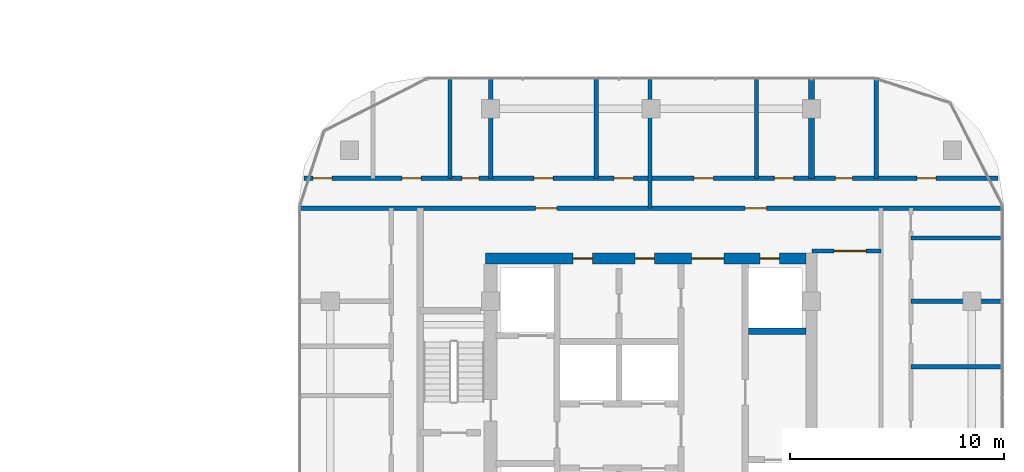
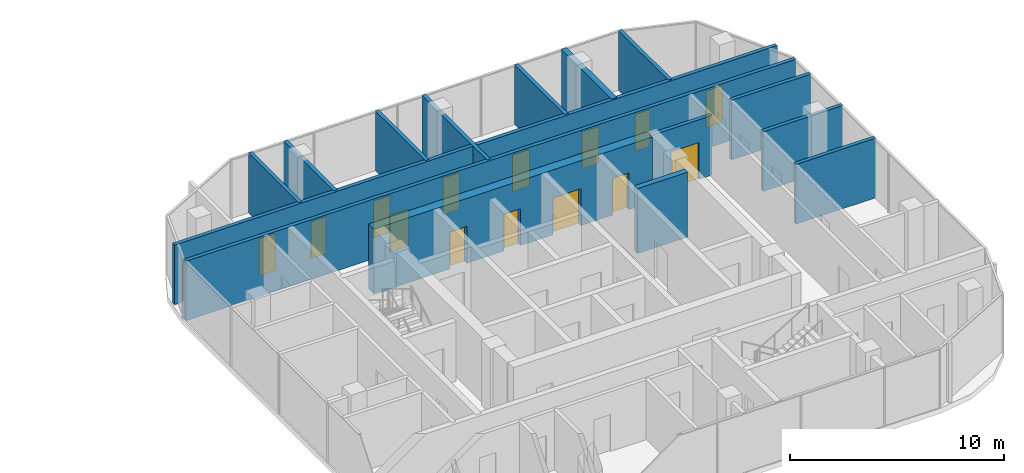
# One storey, part 24 of 33: 16 doors, 15 walls, 16 openings.
"""IFC4 building model written with IfcOpenShell, lengths in metres."""

from ifc_helpers import new_model, si_unit, direction, frame, frame_2d, origin, place, context, subcontext, project, spatial, rectangle, extrude, material, layer, layer_set, type_object, element, fill, save


model = new_model("IFC4")

# Units and contexts
model_context = context("Model", 3, precision=1e-05, world=origin(), true_north=direction((0.0, 1.0)))
body_context = subcontext(model_context, "Body", "Model", "MODEL_VIEW")
ifc_project = project(units=[si_unit("LENGTHUNIT", "METRE"), si_unit("AREAUNIT", "SQUARE_METRE"), si_unit("VOLUMEUNIT", "CUBIC_METRE"), si_unit("PLANEANGLEUNIT", "RADIAN"), si_unit("MASSUNIT", "GRAM", prefix="KILO")], contexts=[model_context])

# Site, building, storey
site_placement = place(None, origin())
site = spatial("IfcSite", under=ifc_project, at=site_placement, CompositionType="ELEMENT")
building_placement = place(site_placement, origin())
building = spatial("IfcBuilding", under=site, at=building_placement, Name="Ogive Portal Towers", CompositionType="ELEMENT")
storey_placement = place(building_placement, frame((0.0, 0.0, 77.89990234375)))
storey = spatial("IfcBuildingStorey", under=building, at=storey_placement, Name="L18", CompositionType="ELEMENT", Elevation=77.89990234375)

# Wall
ifc_material_1 = material(Name="Concrete C60/75", Category="concrete")
ifc_layer_1 = layer(ifc_material_1, 0.300048828125)
ifc_layer_set_1 = layer_set([ifc_layer_1], Name="CORE WALL 300 C60")
wall_type_1 = type_object("IfcWallType", Name="CORE WALL 300 C60", PredefinedType="SHEAR", material=ifc_layer_set_1)
wall_1_placement = place(storey_placement, frame((141.050048828125, 34.10009765625, 0.0), z_axis=(0.0, 0.0, 1.0), x_axis=(1.0, 0.0, 0.0)))
element("IfcWall", 1, at=wall_1_placement, inside=storey, type_object=wall_type_1, Name="Tower B core wall BY7 L18", PredefinedType="SHEAR", context=body_context, shape_type="SweptSolid", body=[
    extrude(rectangle(XDim=2.699951171875, YDim=0.300048828125, at=frame_2d((1.35009765625, 0.0))), origin(), (0.0, 0.0, 1.0), 3.7001953125),
])

# Wall, openings, doors
ifc_layer_2 = layer(ifc_material_1, 0.5)
ifc_layer_set_2 = layer_set([ifc_layer_2], Name="CORE WALL 500 C60")
wall_type_2 = type_object("IfcWallType", Name="CORE WALL 500 C60", PredefinedType="SHEAR", material=ifc_layer_set_2)
wall_2_placement = place(storey_placement, frame((128.75, 37.5, 0.0), z_axis=(0.0, 0.0, 1.0), x_axis=(1.0, 0.0, 0.0)))
wall_2 = element("IfcWall", 2, at=wall_2_placement, inside=storey, type_object=wall_type_2, Name="Tower B core wall BN L18", PredefinedType="SHEAR", context=body_context, shape_type="SweptSolid", body=[
    extrude(rectangle(XDim=15.0, YDim=0.5, at=frame_2d((7.5, 0.0))), origin(), (0.0, 0.0, 1.0), 3.7001953125),
])
opening_1_placement = place(wall_2_placement, frame((9.64990234375, 0.0, 0.0)))
opening_1 = element("IfcOpeningElement", 3, at=opening_1_placement, cuts=wall_2, Name="Opening B05-046", PredefinedType="OPENING", context=body_context, shape_type="SweptSolid", body=[
    extrude(rectangle(XDim=1.5, YDim=2.10009765625, at=frame_2d((0.75, 1.050048828125))), frame((0.0, 0.260009765625, 0.0), z_axis=(0.0, -1.0, 0.0), x_axis=(1.0, 0.0, 0.0)), (0.0, 0.0, 1.0), 0.52001953125),
])
opening_2_placement = place(wall_2_placement, frame((12.85009765625, 0.0, 0.0)))
opening_2 = element("IfcOpeningElement", 4, at=opening_2_placement, cuts=wall_2, Name="Opening B05-048", PredefinedType="OPENING", context=body_context, shape_type="SweptSolid", body=[
    extrude(rectangle(XDim=0.89990234375, YDim=2.10009765625, at=frame_2d((0.449951171875, 1.050048828125))), frame((0.0, 0.260009765625, 0.0), z_axis=(0.0, -1.0, 0.0), x_axis=(1.0, 0.0, 0.0)), (0.0, 0.0, 1.0), 0.52001953125),
])
opening_3_placement = place(wall_2_placement, frame((4.10009765625, 0.0, 0.0)))
opening_3 = element("IfcOpeningElement", 5, at=opening_3_placement, cuts=wall_2, Name="Opening B05-055", PredefinedType="OPENING", context=body_context, shape_type="SweptSolid", body=[
    extrude(rectangle(XDim=0.89990234375, YDim=2.10009765625, at=frame_2d((0.449951171875, 1.050048828125))), frame((0.0, 0.260009765625, 0.0), z_axis=(0.0, -1.0, 0.0), x_axis=(1.0, 0.0, 0.0)), (0.0, 0.0, 1.0), 0.52001953125),
])
opening_4_placement = place(wall_2_placement, frame((7.0, 0.0, 0.0)))
opening_4 = element("IfcOpeningElement", 6, at=opening_4_placement, cuts=wall_2, Name="Opening B05-056", PredefinedType="OPENING", context=body_context, shape_type="SweptSolid", body=[
    extrude(rectangle(XDim=0.89990234375, YDim=2.10009765625, at=frame_2d((0.449951171875, 1.050048828125))), frame((0.0, 0.260009765625, 0.0), z_axis=(0.0, -1.0, 0.0), x_axis=(1.0, 0.0, 0.0)), (0.0, 0.0, 1.0), 0.52001953125),
])
ifc_material_2 = material(Name="Steel fire door", Category="steel")
door_type_1 = type_object("IfcDoorType", Name="DT-SWING-1500x2100-FD90S", OperationType="SINGLE_SWING_LEFT", PredefinedType="DOOR", material=ifc_material_2)
door_1_placement = place(opening_1_placement, origin())
door_1 = element("IfcDoor", 7, at=door_1_placement, inside=storey, type_object=door_type_1, Name="Door B05-046", OperationType="SINGLE_SWING_RIGHT", OverallHeight=2.10009765625, OverallWidth=1.5, PredefinedType="DOOR", context=body_context, shape_type="SweptSolid", body=[
    extrude(rectangle(XDim=1.5, YDim=2.10009765625, at=frame_2d((0.75, 1.050048828125))), frame((0.0, 0.02490234375, 0.0), z_axis=(0.0, -1.0, 0.0), x_axis=(1.0, 0.0, 0.0)), (0.0, 0.0, 1.0), 0.050048828125),
])
fill(opening_1, door_1)
door_type_2 = type_object("IfcDoorType", Name="DT-SWING-900x2100-FD90S", OperationType="SINGLE_SWING_LEFT", PredefinedType="DOOR", material=ifc_material_2)
door_2_placement = place(opening_2_placement, origin())
door_2 = element("IfcDoor", 8, at=door_2_placement, inside=storey, type_object=door_type_2, Name="Riser access door B05-048", OperationType="SINGLE_SWING_RIGHT", OverallHeight=2.10009765625, OverallWidth=0.89990234375, PredefinedType="DOOR", context=body_context, shape_type="SweptSolid", body=[
    extrude(rectangle(XDim=0.89990234375, YDim=2.10009765625, at=frame_2d((0.449951171875, 1.050048828125))), frame((0.0, 0.02490234375, 0.0), z_axis=(0.0, -1.0, 0.0), x_axis=(1.0, 0.0, 0.0)), (0.0, 0.0, 1.0), 0.050048828125),
])
fill(opening_2, door_2)
door_3_placement = place(opening_3_placement, origin())
door_3 = element("IfcDoor", 9, at=door_3_placement, inside=storey, type_object=door_type_2, Name="Door B05-055", OperationType="SINGLE_SWING_LEFT", OverallHeight=2.10009765625, OverallWidth=0.89990234375, PredefinedType="DOOR", context=body_context, shape_type="SweptSolid", body=[
    extrude(rectangle(XDim=0.89990234375, YDim=2.10009765625, at=frame_2d((0.449951171875, 1.050048828125))), frame((0.0, 0.02490234375, 0.0), z_axis=(0.0, -1.0, 0.0), x_axis=(1.0, 0.0, 0.0)), (0.0, 0.0, 1.0), 0.050048828125),
])
fill(opening_3, door_3)
door_4_placement = place(opening_4_placement, origin())
door_4 = element("IfcDoor", 10, at=door_4_placement, inside=storey, type_object=door_type_2, Name="Door B05-056", OperationType="SINGLE_SWING_RIGHT", OverallHeight=2.10009765625, OverallWidth=0.89990234375, PredefinedType="DOOR", context=body_context, shape_type="SweptSolid", body=[
    extrude(rectangle(XDim=0.89990234375, YDim=2.10009765625, at=frame_2d((0.449951171875, 1.050048828125))), frame((0.0, 0.02490234375, 0.0), z_axis=(0.0, -1.0, 0.0), x_axis=(1.0, 0.0, 0.0)), (0.0, 0.0, 1.0), 0.050048828125),
])
fill(opening_4, door_4)

# Walls
ifc_material_3 = material(Name="Gypsum board partition on steel studs", Category="steel")
ifc_layer_3 = layer(ifc_material_3, 0.199951171875)
ifc_layer_set_3 = layer_set([ifc_layer_3], Name="WT-PART-200-EI 60")
wall_type_3 = type_object("IfcWallType", Name="WT-PART-200-EI 60", PredefinedType="PARTITIONING", material=ifc_layer_set_3)
for number, where, z_axis, x_axis, name in (
    (11, (148.64990234375, 32.43310546875, 0.0), (0.0, 0.0, 1.0), (1.0, 0.0, 0.0), "Wall L18:w012"),
    (12, (148.64990234375, 35.5, 0.0), (0.0, 0.0, 1.0), (1.0, 0.0, 0.0), "Wall L18:w016"),
):
    element("IfcWall", number, at=place(storey_placement, frame(where, z_axis=z_axis, x_axis=x_axis)), inside=storey, type_object=wall_type_3, Name=name, PredefinedType="PARTITIONING", context=body_context, shape_type="SweptSolid", body=[
        extrude(rectangle(XDim=4.280029296875, YDim=0.199951171875, at=frame_2d((2.14013671875, 0.0))), origin(), (0.0, 0.0, 1.0), 3.400146484375),
    ])

# Wall, opening, door
wall_3_placement = place(storey_placement, frame((144.02001953125, 37.85009765625, 0.0), z_axis=(0.0, 0.0, 1.0), x_axis=(1.0, 0.0, 0.0)))
wall_3 = element("IfcWall", 13, at=wall_3_placement, inside=storey, type_object=wall_type_3, Name="Wall L18:w018", PredefinedType="PARTITIONING", context=body_context, shape_type="SweptSolid", body=[
    extrude(rectangle(XDim=3.22998046875, YDim=0.199951171875, at=frame_2d((1.614990234375, 0.0))), origin(), (0.0, 0.0, 1.0), 3.400146484375),
])
opening_5_placement = place(wall_3_placement, frame((1.030029296875, 0.0, 0.0)))
opening_5 = element("IfcOpeningElement", 14, at=opening_5_placement, cuts=wall_3, Name="Opening B05-001", PredefinedType="OPENING", context=body_context, shape_type="SweptSolid", body=[
    extrude(rectangle(XDim=1.5, YDim=2.10009765625, at=frame_2d((0.75, 1.050048828125))), frame((0.0, 0.10986328125, 0.0), z_axis=(0.0, -1.0, 0.0), x_axis=(1.0, 0.0, 0.0)), (0.0, 0.0, 1.0), 0.219970703125),
])
door_type_3 = type_object("IfcDoorType", Name="DT-SWING-1500x2100-FD60S", OperationType="SINGLE_SWING_LEFT", PredefinedType="DOOR", material=ifc_material_2)
door_5_placement = place(opening_5_placement, origin())
door_5 = element("IfcDoor", 15, at=door_5_placement, inside=storey, type_object=door_type_3, Name="Door B05-001", OperationType="SINGLE_SWING_LEFT", OverallHeight=2.10009765625, OverallWidth=1.5, PredefinedType="DOOR", context=body_context, shape_type="SweptSolid", body=[
    extrude(rectangle(XDim=1.5, YDim=2.10009765625, at=frame_2d((0.75, 1.050048828125))), frame((0.0, 0.02490234375, 0.0), z_axis=(0.0, -1.0, 0.0), x_axis=(1.0, 0.0, 0.0)), (0.0, 0.0, 1.0), 0.050048828125),
])
fill(opening_5, door_5)

# Wall
wall_4_placement = place(storey_placement, frame((148.64990234375, 38.4560546875, 0.0), z_axis=(0.0, 0.0, 1.0), x_axis=(1.0, 0.0, 0.0)))
element("IfcWall", 16, at=wall_4_placement, inside=storey, type_object=wall_type_3, Name="Wall L18:w019", PredefinedType="PARTITIONING", context=body_context, shape_type="SweptSolid", body=[
    extrude(rectangle(XDim=4.280029296875, YDim=0.199951171875, at=frame_2d((2.14013671875, 0.0))), origin(), (0.0, 0.0, 1.0), 3.400146484375),
])

# Wall, openings, doors
wall_5_placement = place(storey_placement, frame((120.070068359375, 39.85009765625, 0.0), z_axis=(0.0, 0.0, 1.0), x_axis=(1.0, 0.0, 0.0)))
wall_5 = element("IfcWall", 17, at=wall_5_placement, inside=storey, type_object=wall_type_3, Name="Wall L18:w020", PredefinedType="PARTITIONING", context=body_context, shape_type="SweptSolid", body=[
    extrude(rectangle(XDim=32.85986328125, YDim=0.199951171875, at=frame_2d((16.429931640625, 0.0))), origin(), (0.0, 0.0, 1.0), 3.400146484375),
])
opening_6_placement = place(wall_5_placement, frame((11.030029296875, 0.0, 0.0)))
opening_6 = element("IfcOpeningElement", 18, at=opening_6_placement, cuts=wall_5, Name="Opening B05-005", PredefinedType="OPENING", context=body_context, shape_type="SweptSolid", body=[
    extrude(rectangle(XDim=1.0, YDim=2.10009765625, at=frame_2d((0.5, 1.050048828125))), frame((0.0, 0.10986328125, 0.0), z_axis=(0.0, -1.0, 0.0), x_axis=(1.0, 0.0, 0.0)), (0.0, 0.0, 1.0), 0.219970703125),
])
opening_7_placement = place(wall_5_placement, frame((20.830078125, 0.0, 0.0)))
opening_7 = element("IfcOpeningElement", 19, at=opening_7_placement, cuts=wall_5, Name="Opening B05-011", PredefinedType="OPENING", context=body_context, shape_type="SweptSolid", body=[
    extrude(rectangle(XDim=1.0, YDim=2.10009765625, at=frame_2d((0.5, 1.050048828125))), frame((0.0, 0.10986328125, 0.0), z_axis=(0.0, -1.0, 0.0), x_axis=(1.0, 0.0, 0.0)), (0.0, 0.0, 1.0), 0.219970703125),
])
door_type_4 = type_object("IfcDoorType", Name="DT-SWING-1000x2100-FD60S", OperationType="SINGLE_SWING_LEFT", PredefinedType="DOOR", material=ifc_material_2)
door_6_placement = place(opening_6_placement, origin())
door_6 = element("IfcDoor", 20, at=door_6_placement, inside=storey, type_object=door_type_4, Name="Door B05-005", OperationType="SINGLE_SWING_LEFT", OverallHeight=2.10009765625, OverallWidth=1.0, PredefinedType="DOOR", context=body_context, shape_type="SweptSolid", body=[
    extrude(rectangle(XDim=1.0, YDim=2.10009765625, at=frame_2d((0.5, 1.050048828125))), frame((0.0, 0.02490234375, 0.0), z_axis=(0.0, -1.0, 0.0), x_axis=(1.0, 0.0, 0.0)), (0.0, 0.0, 1.0), 0.050048828125),
])
fill(opening_6, door_6)
door_7_placement = place(opening_7_placement, origin())
door_7 = element("IfcDoor", 21, at=door_7_placement, inside=storey, type_object=door_type_4, Name="Door B05-011", OperationType="SINGLE_SWING_LEFT", OverallHeight=2.10009765625, OverallWidth=1.0, PredefinedType="DOOR", context=body_context, shape_type="SweptSolid", body=[
    extrude(rectangle(XDim=1.0, YDim=2.10009765625, at=frame_2d((0.5, 1.050048828125))), frame((0.0, 0.02490234375, 0.0), z_axis=(0.0, -1.0, 0.0), x_axis=(1.0, 0.0, 0.0)), (0.0, 0.0, 1.0), 0.050048828125),
])
fill(opening_7, door_7)

wall_6_placement = place(storey_placement, frame((120.26904296875, 41.25, 0.0), z_axis=(0.0, 0.0, 1.0), x_axis=(1.0, 0.0, 0.0)))
wall_6 = element("IfcWall", 22, at=wall_6_placement, inside=storey, type_object=wall_type_3, Name="Wall L18:w021", PredefinedType="PARTITIONING", context=body_context, shape_type="SweptSolid", body=[
    extrude(rectangle(XDim=32.4619140625, YDim=0.199951171875, at=frame_2d((16.23095703125, 0.0))), origin(), (0.0, 0.0, 1.0), 3.400146484375),
])
opening_8_placement = place(wall_6_placement, frame((0.4140625, 0.0, 0.0)))
opening_8 = element("IfcOpeningElement", 23, at=opening_8_placement, cuts=wall_6, Name="Opening B05-006", PredefinedType="OPENING", context=body_context, shape_type="SweptSolid", body=[
    extrude(rectangle(XDim=0.89990234375, YDim=2.10009765625, at=frame_2d((0.449951171875, 1.050048828125))), frame((0.0, 0.10986328125, 0.0), z_axis=(0.0, -1.0, 0.0), x_axis=(1.0, 0.0, 0.0)), (0.0, 0.0, 1.0), 0.219970703125),
])
opening_9_placement = place(wall_6_placement, frame((4.5810546875, 0.0, 0.0)))
opening_9 = element("IfcOpeningElement", 24, at=opening_9_placement, cuts=wall_6, Name="Opening B05-007", PredefinedType="OPENING", context=body_context, shape_type="SweptSolid", body=[
    extrude(rectangle(XDim=0.89990234375, YDim=2.10009765625, at=frame_2d((0.449951171875, 1.050048828125))), frame((0.0, 0.10986328125, 0.0), z_axis=(0.0, -1.0, 0.0), x_axis=(1.0, 0.0, 0.0)), (0.0, 0.0, 1.0), 0.219970703125),
])
opening_10_placement = place(wall_6_placement, frame((7.381103515625, 0.0, 0.0)))
opening_10 = element("IfcOpeningElement", 25, at=opening_10_placement, cuts=wall_6, Name="Opening B05-008", PredefinedType="OPENING", context=body_context, shape_type="SweptSolid", body=[
    extrude(rectangle(XDim=0.800048828125, YDim=2.10009765625, at=frame_2d((0.39990234375, 1.050048828125))), frame((0.0, 0.10986328125, 0.0), z_axis=(0.0, -1.0, 0.0), x_axis=(1.0, 0.0, 0.0)), (0.0, 0.0, 1.0), 0.219970703125),
])
opening_11_placement = place(wall_6_placement, frame((10.748046875, 0.0, 0.0)))
opening_11 = element("IfcOpeningElement", 26, at=opening_11_placement, cuts=wall_6, Name="Opening B05-009", PredefinedType="OPENING", context=body_context, shape_type="SweptSolid", body=[
    extrude(rectangle(XDim=0.89990234375, YDim=2.10009765625, at=frame_2d((0.449951171875, 1.050048828125))), frame((0.0, 0.10986328125, 0.0), z_axis=(0.0, -1.0, 0.0), x_axis=(1.0, 0.0, 0.0)), (0.0, 0.0, 1.0), 0.219970703125),
])
opening_12_placement = place(wall_6_placement, frame((14.498046875, 0.0, 0.0)))
opening_12 = element("IfcOpeningElement", 27, at=opening_12_placement, cuts=wall_6, Name="Opening B05-010", PredefinedType="OPENING", context=body_context, shape_type="SweptSolid", body=[
    extrude(rectangle(XDim=0.89990234375, YDim=2.10009765625, at=frame_2d((0.449951171875, 1.050048828125))), frame((0.0, 0.10986328125, 0.0), z_axis=(0.0, -1.0, 0.0), x_axis=(1.0, 0.0, 0.0)), (0.0, 0.0, 1.0), 0.219970703125),
])
opening_13_placement = place(wall_6_placement, frame((18.248046875, 0.0, 0.0)))
opening_13 = element("IfcOpeningElement", 28, at=opening_13_placement, cuts=wall_6, Name="Opening B05-012", PredefinedType="OPENING", context=body_context, shape_type="SweptSolid", body=[
    extrude(rectangle(XDim=0.89990234375, YDim=2.10009765625, at=frame_2d((0.449951171875, 1.050048828125))), frame((0.0, 0.10986328125, 0.0), z_axis=(0.0, -1.0, 0.0), x_axis=(1.0, 0.0, 0.0)), (0.0, 0.0, 1.0), 0.219970703125),
])
opening_14_placement = place(wall_6_placement, frame((21.998046875, 0.0, 0.0)))
opening_14 = element("IfcOpeningElement", 29, at=opening_14_placement, cuts=wall_6, Name="Opening B05-013", PredefinedType="OPENING", context=body_context, shape_type="SweptSolid", body=[
    extrude(rectangle(XDim=0.89990234375, YDim=2.10009765625, at=frame_2d((0.449951171875, 1.050048828125))), frame((0.0, 0.10986328125, 0.0), z_axis=(0.0, -1.0, 0.0), x_axis=(1.0, 0.0, 0.0)), (0.0, 0.0, 1.0), 0.219970703125),
])
opening_15_placement = place(wall_6_placement, frame((24.842041015625, 0.0, 0.0)))
opening_15 = element("IfcOpeningElement", 30, at=opening_15_placement, cuts=wall_6, Name="Opening B05-014", PredefinedType="OPENING", context=body_context, shape_type="SweptSolid", body=[
    extrude(rectangle(XDim=0.800048828125, YDim=2.10009765625, at=frame_2d((0.39990234375, 1.050048828125))), frame((0.0, 0.10986328125, 0.0), z_axis=(0.0, -1.0, 0.0), x_axis=(1.0, 0.0, 0.0)), (0.0, 0.0, 1.0), 0.219970703125),
])
opening_16_placement = place(wall_6_placement, frame((28.658935546875, 0.0, 0.0)))
opening_16 = element("IfcOpeningElement", 31, at=opening_16_placement, cuts=wall_6, Name="Opening B05-015", PredefinedType="OPENING", context=body_context, shape_type="SweptSolid", body=[
    extrude(rectangle(XDim=0.89990234375, YDim=2.10009765625, at=frame_2d((0.449951171875, 1.050048828125))), frame((0.0, 0.10986328125, 0.0), z_axis=(0.0, -1.0, 0.0), x_axis=(1.0, 0.0, 0.0)), (0.0, 0.0, 1.0), 0.219970703125),
])
door_type_5 = type_object("IfcDoorType", Name="DT-SWING-800x2100-FD60S", OperationType="SINGLE_SWING_LEFT", PredefinedType="DOOR", material=ifc_material_2)
door_8_placement = place(opening_10_placement, origin())
door_8 = element("IfcDoor", 32, at=door_8_placement, inside=storey, type_object=door_type_5, Name="Door B05-008", OperationType="SINGLE_SWING_RIGHT", OverallHeight=2.10009765625, OverallWidth=0.800048828125, PredefinedType="DOOR", context=body_context, shape_type="SweptSolid", body=[
    extrude(rectangle(XDim=0.800048828125, YDim=2.10009765625, at=frame_2d((0.39990234375, 1.050048828125))), frame((0.0, 0.02490234375, 0.0), z_axis=(0.0, -1.0, 0.0), x_axis=(1.0, 0.0, 0.0)), (0.0, 0.0, 1.0), 0.050048828125),
])
fill(opening_10, door_8)
door_9_placement = place(opening_15_placement, origin())
door_9 = element("IfcDoor", 33, at=door_9_placement, inside=storey, type_object=door_type_5, Name="Door B05-014", OperationType="SINGLE_SWING_RIGHT", OverallHeight=2.10009765625, OverallWidth=0.800048828125, PredefinedType="DOOR", context=body_context, shape_type="SweptSolid", body=[
    extrude(rectangle(XDim=0.800048828125, YDim=2.10009765625, at=frame_2d((0.39990234375, 1.050048828125))), frame((0.0, 0.02490234375, 0.0), z_axis=(0.0, -1.0, 0.0), x_axis=(1.0, 0.0, 0.0)), (0.0, 0.0, 1.0), 0.050048828125),
])
fill(opening_15, door_9)
door_type_6 = type_object("IfcDoorType", Name="DT-SWING-900x2100-FD60S", OperationType="SINGLE_SWING_LEFT", PredefinedType="DOOR", material=ifc_material_2)
door_10_placement = place(opening_8_placement, origin())
door_10 = element("IfcDoor", 34, at=door_10_placement, inside=storey, type_object=door_type_6, Name="Door B05-006", OperationType="SINGLE_SWING_RIGHT", OverallHeight=2.10009765625, OverallWidth=0.89990234375, PredefinedType="DOOR", context=body_context, shape_type="SweptSolid", body=[
    extrude(rectangle(XDim=0.89990234375, YDim=2.10009765625, at=frame_2d((0.449951171875, 1.050048828125))), frame((0.0, 0.02490234375, 0.0), z_axis=(0.0, -1.0, 0.0), x_axis=(1.0, 0.0, 0.0)), (0.0, 0.0, 1.0), 0.050048828125),
])
fill(opening_8, door_10)
door_11_placement = place(opening_9_placement, origin())
door_11 = element("IfcDoor", 35, at=door_11_placement, inside=storey, type_object=door_type_6, Name="Door B05-007", OperationType="SINGLE_SWING_LEFT", OverallHeight=2.10009765625, OverallWidth=0.89990234375, PredefinedType="DOOR", context=body_context, shape_type="SweptSolid", body=[
    extrude(rectangle(XDim=0.89990234375, YDim=2.10009765625, at=frame_2d((0.449951171875, 1.050048828125))), frame((0.0, 0.02490234375, 0.0), z_axis=(0.0, -1.0, 0.0), x_axis=(1.0, 0.0, 0.0)), (0.0, 0.0, 1.0), 0.050048828125),
])
fill(opening_9, door_11)
door_12_placement = place(opening_11_placement, origin())
door_12 = element("IfcDoor", 36, at=door_12_placement, inside=storey, type_object=door_type_6, Name="Door B05-009", OperationType="SINGLE_SWING_LEFT", OverallHeight=2.10009765625, OverallWidth=0.89990234375, PredefinedType="DOOR", context=body_context, shape_type="SweptSolid", body=[
    extrude(rectangle(XDim=0.89990234375, YDim=2.10009765625, at=frame_2d((0.449951171875, 1.050048828125))), frame((0.0, 0.02490234375, 0.0), z_axis=(0.0, -1.0, 0.0), x_axis=(1.0, 0.0, 0.0)), (0.0, 0.0, 1.0), 0.050048828125),
])
fill(opening_11, door_12)
door_13_placement = place(opening_12_placement, origin())
door_13 = element("IfcDoor", 37, at=door_13_placement, inside=storey, type_object=door_type_6, Name="Door B05-010", OperationType="SINGLE_SWING_RIGHT", OverallHeight=2.10009765625, OverallWidth=0.89990234375, PredefinedType="DOOR", context=body_context, shape_type="SweptSolid", body=[
    extrude(rectangle(XDim=0.89990234375, YDim=2.10009765625, at=frame_2d((0.449951171875, 1.050048828125))), frame((0.0, 0.02490234375, 0.0), z_axis=(0.0, -1.0, 0.0), x_axis=(1.0, 0.0, 0.0)), (0.0, 0.0, 1.0), 0.050048828125),
])
fill(opening_12, door_13)
door_14_placement = place(opening_13_placement, origin())
door_14 = element("IfcDoor", 38, at=door_14_placement, inside=storey, type_object=door_type_6, Name="Door B05-012", OperationType="SINGLE_SWING_RIGHT", OverallHeight=2.10009765625, OverallWidth=0.89990234375, PredefinedType="DOOR", context=body_context, shape_type="SweptSolid", body=[
    extrude(rectangle(XDim=0.89990234375, YDim=2.10009765625, at=frame_2d((0.449951171875, 1.050048828125))), frame((0.0, 0.02490234375, 0.0), z_axis=(0.0, -1.0, 0.0), x_axis=(1.0, 0.0, 0.0)), (0.0, 0.0, 1.0), 0.050048828125),
])
fill(opening_13, door_14)
door_15_placement = place(opening_14_placement, origin())
door_15 = element("IfcDoor", 39, at=door_15_placement, inside=storey, type_object=door_type_6, Name="Door B05-013", OperationType="SINGLE_SWING_LEFT", OverallHeight=2.10009765625, OverallWidth=0.89990234375, PredefinedType="DOOR", context=body_context, shape_type="SweptSolid", body=[
    extrude(rectangle(XDim=0.89990234375, YDim=2.10009765625, at=frame_2d((0.449951171875, 1.050048828125))), frame((0.0, 0.02490234375, 0.0), z_axis=(0.0, -1.0, 0.0), x_axis=(1.0, 0.0, 0.0)), (0.0, 0.0, 1.0), 0.050048828125),
])
fill(opening_14, door_15)
door_16_placement = place(opening_16_placement, origin())
door_16 = element("IfcDoor", 40, at=door_16_placement, inside=storey, type_object=door_type_6, Name="Door B05-015", OperationType="SINGLE_SWING_LEFT", OverallHeight=2.10009765625, OverallWidth=0.89990234375, PredefinedType="DOOR", context=body_context, shape_type="SweptSolid", body=[
    extrude(rectangle(XDim=0.89990234375, YDim=2.10009765625, at=frame_2d((0.449951171875, 1.050048828125))), frame((0.0, 0.02490234375, 0.0), z_axis=(0.0, -1.0, 0.0), x_axis=(1.0, 0.0, 0.0)), (0.0, 0.0, 1.0), 0.050048828125),
])
fill(opening_16, door_16)

# Walls
for number, where, z_axis, x_axis, name in (
    (41, (127.10009765625, 41.25, 0.0), (0.0, 0.0, 1.0), (0.0, 1.0, 0.0), "Wall L18:w027"),
    (42, (129.0, 41.25, 0.0), (0.0, 0.0, 1.0), (0.0, 1.0, 0.0), "Wall L18:w031"),
    (43, (133.93310546875, 41.25, 0.0), (0.0, 0.0, 1.0), (0.0, 1.0, 0.0), "Wall L18:w033"),
):
    element("IfcWall", number, at=place(storey_placement, frame(where, z_axis=z_axis, x_axis=x_axis)), inside=storey, type_object=wall_type_3, Name=name, PredefinedType="PARTITIONING", context=body_context, shape_type="SweptSolid", body=[
        extrude(rectangle(XDim=4.679931640625, YDim=0.199951171875, at=frame_2d((2.33984375, 0.0))), origin(), (0.0, 0.0, 1.0), 3.400146484375),
    ])
wall_7_placement = place(storey_placement, frame((136.449951171875, 39.85009765625, 0.0), z_axis=(0.0, 0.0, 1.0), x_axis=(0.0, 1.0, 0.0)))
element("IfcWall", 44, at=wall_7_placement, inside=storey, type_object=wall_type_3, Name="Wall L18:w036", PredefinedType="PARTITIONING", context=body_context, shape_type="SweptSolid", body=[
    extrude(rectangle(XDim=6.079833984375, YDim=0.199951171875, at=frame_2d((3.0400390625, 0.0))), origin(), (0.0, 0.0, 1.0), 3.400146484375),
])
wall_8_placement = place(storey_placement, frame((141.43310546875, 41.25, 0.0), z_axis=(0.0, 0.0, 1.0), x_axis=(0.0, 1.0, 0.0)))
element("IfcWall", 45, at=wall_8_placement, inside=storey, type_object=wall_type_3, Name="Wall L18:w038", PredefinedType="PARTITIONING", context=body_context, shape_type="SweptSolid", body=[
    extrude(rectangle(XDim=4.679931640625, YDim=0.199951171875, at=frame_2d((2.33984375, 0.0))), origin(), (0.0, 0.0, 1.0), 3.400146484375),
])
wall_9_placement = place(storey_placement, frame((147.02197265625, 41.25, 0.0), z_axis=(0.0, 0.0, 1.0), x_axis=(0.0, 1.0, 0.0)))
element("IfcWall", 46, at=wall_9_placement, inside=storey, type_object=wall_type_3, Name="Wall L18:w044", PredefinedType="PARTITIONING", context=body_context, shape_type="SweptSolid", body=[
    extrude(rectangle(XDim=4.676025390625, YDim=0.199951171875, at=frame_2d((2.337890625, 0.0))), origin(), (0.0, 0.0, 1.0), 3.400146484375),
])
ifc_layer_4 = layer(ifc_material_3, 0.300048828125)
ifc_layer_set_4 = layer_set([ifc_layer_4], Name="WT-PART-300-EI 60")
wall_type_4 = type_object("IfcWallType", Name="WT-PART-300-EI 60", PredefinedType="PARTITIONING", material=ifc_layer_set_4)
wall_10_placement = place(storey_placement, frame((144.0, 41.25, 0.0), z_axis=(0.0, 0.0, 1.0), x_axis=(0.0, 1.0, 0.0)))
element("IfcWall", 47, at=wall_10_placement, inside=storey, type_object=wall_type_4, Name="Wall L18:w040", PredefinedType="PARTITIONING", context=body_context, shape_type="SweptSolid", body=[
    extrude(rectangle(XDim=4.679931640625, YDim=0.300048828125, at=frame_2d((2.33984375, 0.0))), origin(), (0.0, 0.0, 1.0), 3.400146484375),
])

save(model, "model.ifc")
